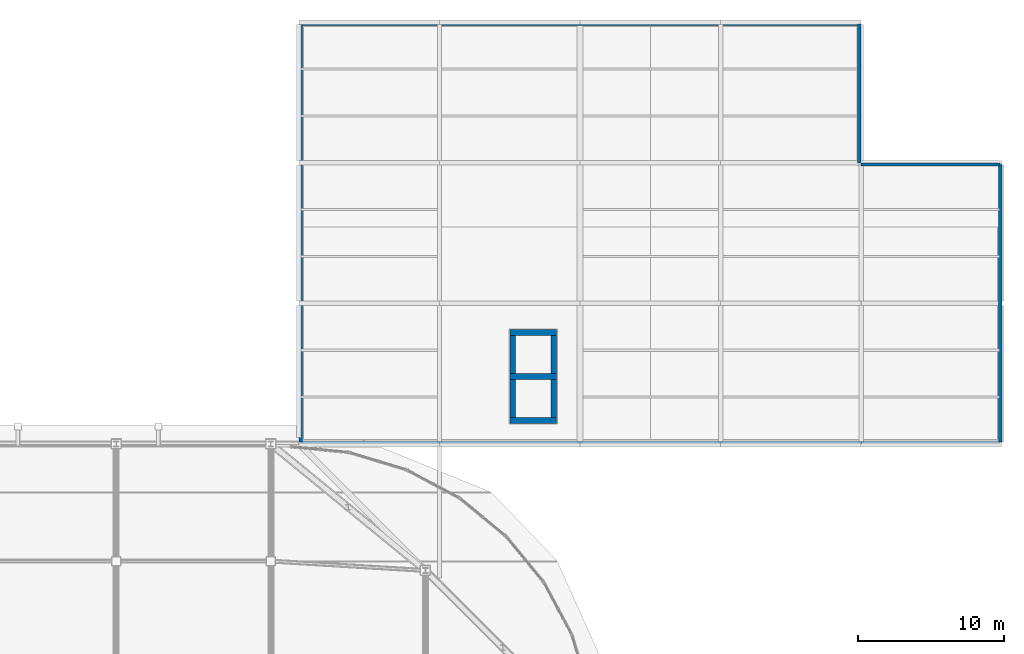
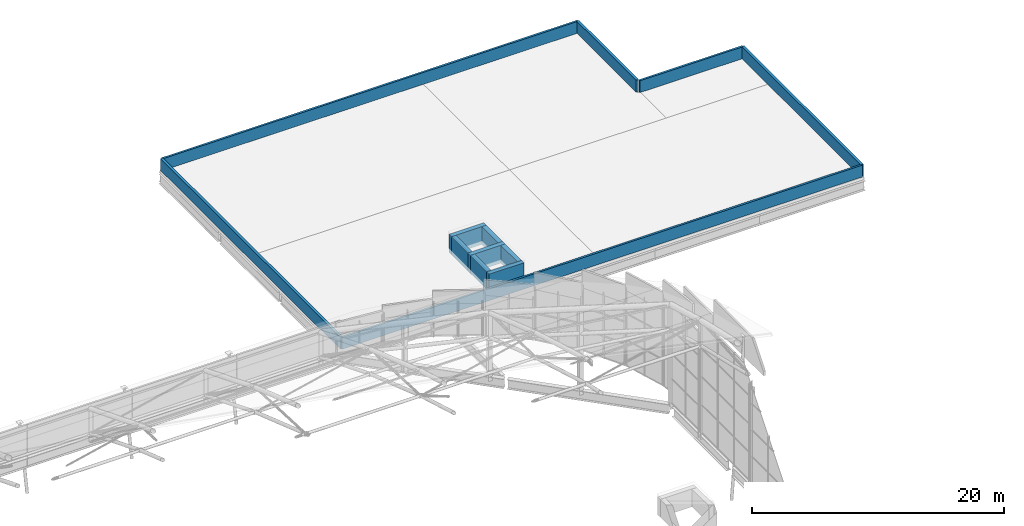
# One storey, part 41 of 42: 13 walls.
"""IFC4 building model written with IfcOpenShell, lengths in metres."""

from ifc_helpers import new_model, si_unit, direction, frame, frame_2d, origin, place, context, subcontext, project, spatial, rectangle, extrude, material, layer, layer_set, type_object, element, save


model = new_model("IFC4")

# Units and contexts
model_context = context("Model", 3, precision=1e-05, world=origin(), true_north=direction((0.0, 1.0)))
body_context = subcontext(model_context, "Body", "Model", "MODEL_VIEW")
ifc_project = project(units=[si_unit("LENGTHUNIT", "METRE"), si_unit("AREAUNIT", "SQUARE_METRE"), si_unit("VOLUMEUNIT", "CUBIC_METRE"), si_unit("PLANEANGLEUNIT", "RADIAN"), si_unit("MASSUNIT", "GRAM", prefix="KILO")], contexts=[model_context])

# Site, building, storey
site_placement = place(None, origin())
site = spatial("IfcSite", under=ifc_project, at=site_placement, CompositionType="ELEMENT")
building_placement = place(site_placement, origin())
building = spatial("IfcBuilding", under=site, at=building_placement, Name="Caelomonte Colonnade Arena", CompositionType="ELEMENT")
storey_placement = place(building_placement, frame((0.0, 0.0, 28.199951171875)))
storey = spatial("IfcBuildingStorey", under=building, at=storey_placement, Name="RF", CompositionType="ELEMENT", Elevation=28.199951171875)

# Walls
ifc_material_1 = material(Name="Precast concrete C40/50", Category="concrete")
ifc_layer_1 = layer(ifc_material_1, 0.18994140625)
ifc_layer_set_1 = layer_set([ifc_layer_1], Name="Precast concrete C40/50")
wall_type_1 = type_object("IfcWallType", Name="ENV-WL-PAR19", PredefinedType="PARAPET", material=ifc_layer_set_1)
wall_1_placement = place(storey_placement, frame((144.1201171875, 143.8798828125, 0.0), z_axis=(0.0, 0.0, 1.0), x_axis=(1.0, 0.0, 0.0)))
element("IfcWall", 1, at=wall_1_placement, inside=storey, type_object=wall_type_1, Name="Volume 4 roof parapet 2", PredefinedType="PARAPET", context=body_context, shape_type="SweptSolid", body=[
    extrude(rectangle(XDim=38.159912109375, YDim=0.18994140625, at=frame_2d((19.080078125, 0.0))), origin(), (0.0, 0.0, 1.0), 1.150146484375),
])
wall_2_placement = place(storey_placement, frame((182.39990234375, 134.280029296875, 0.0), z_axis=(0.0, 0.0, 1.0), x_axis=(1.0, 0.0, 0.0)))
element("IfcWall", 2, at=wall_2_placement, inside=storey, type_object=wall_type_1, Name="Volume 4 roof parapet 20", PredefinedType="PARAPET", context=body_context, shape_type="SweptSolid", body=[
    extrude(rectangle(XDim=9.47998046875, YDim=0.18994140625, at=frame_2d((4.739990234375, 0.0))), origin(), (0.0, 0.0, 1.0), 1.150146484375),
])
wall_3_placement = place(storey_placement, frame((191.8798828125, 115.320068359375, 0.0), z_axis=(0.0, 0.0, 1.0), x_axis=(-1.0, 0.0, 0.0)))
element("IfcWall", 3, at=wall_3_placement, inside=storey, type_object=wall_type_1, Name="Volume 4 roof parapet 22", PredefinedType="PARAPET", context=body_context, shape_type="SweptSolid", body=[
    extrude(rectangle(XDim=47.759765625, YDim=0.18994140625, at=frame_2d((23.8798828125, 0.0))), origin(), (0.0, 0.0, 1.0), 1.150146484375),
])
ifc_layer_2 = layer(ifc_material_1, 0.239990234375)
ifc_layer_set_2 = layer_set([ifc_layer_2], Name="Precast concrete C40/50")
wall_type_2 = type_object("IfcWallType", Name="ENV-WL-PAR24", PredefinedType="PARAPET", material=ifc_layer_set_2)
wall_4_placement = place(storey_placement, frame((144.1201171875, 115.320068359375, 0.0), z_axis=(0.0, 0.0, 1.0), x_axis=(0.0, 1.0, 0.0)))
element("IfcWall", 4, at=wall_4_placement, inside=storey, type_object=wall_type_2, Name="Volume 4 roof parapet 1", PredefinedType="PARAPET", context=body_context, shape_type="SweptSolid", body=[
    extrude(rectangle(XDim=28.559814453125, YDim=0.239990234375, at=frame_2d((14.27978515625, 0.0))), origin(), (0.0, 0.0, 1.0), 1.150146484375),
])
wall_5_placement = place(storey_placement, frame((182.280029296875, 143.8798828125, 0.0), z_axis=(0.0, 0.0, 1.0), x_axis=(0.0, -1.0, 0.0)))
element("IfcWall", 5, at=wall_5_placement, inside=storey, type_object=wall_type_2, Name="Volume 4 roof parapet 3", PredefinedType="PARAPET", context=body_context, shape_type="SweptSolid", body=[
    extrude(rectangle(XDim=9.47998046875, YDim=0.239990234375, at=frame_2d((4.739990234375, 0.0))), origin(), (0.0, 0.0, 1.0), 1.150146484375),
])
wall_6_placement = place(storey_placement, frame((191.8798828125, 134.280029296875, 0.0), z_axis=(0.0, 0.0, 1.0), x_axis=(0.0, -1.0, 0.0)))
element("IfcWall", 6, at=wall_6_placement, inside=storey, type_object=wall_type_2, Name="Volume 4 roof parapet 21", PredefinedType="PARAPET", context=body_context, shape_type="SweptSolid", body=[
    extrude(rectangle(XDim=18.9599609375, YDim=0.239990234375, at=frame_2d((9.47998046875, 0.0))), origin(), (0.0, 0.0, 1.0), 1.150146484375),
])
ifc_material_2 = material(Name="Concrete C50/60", Category="concrete")
ifc_layer_3 = layer(ifc_material_2, 0.39990234375)
ifc_layer_set_3 = layer_set([ifc_layer_3], Name="Concrete C50/60")
wall_type_3 = type_object("IfcWallType", Name="INT-WL-SH40", PredefinedType="SHEAR", material=ifc_layer_set_3)
for number, where, z_axis, x_axis, name in (
    (7, (158.39990234375, 116.800048828125, -0.280029296875), (0.0, 0.0, 1.0), (1.0, 0.0, 0.0), "CW-C6-OVR RF south enclosure wall"),
    (8, (161.60009765625, 119.800048828125, -0.280029296875), (0.0, 0.0, 1.0), (-1.0, 0.0, 0.0), "CW-C6-OVR RF north enclosure wall"),
):
    element("IfcWall", number, at=place(storey_placement, frame(where, z_axis=z_axis, x_axis=x_axis)), inside=storey, type_object=wall_type_3, Name=name, PredefinedType="SHEAR", context=body_context, shape_type="SweptSolid", body=[
        extrude(rectangle(XDim=3.2001953125, YDim=0.39990234375, at=frame_2d((1.60009765625, 0.0))), origin(), (0.0, 0.0, 1.0), 1.72998046875),
    ])
for number, where, z_axis, x_axis, name in (
    (9, (158.60009765625, 119.60009765625, -0.280029296875), (0.0, 0.0, 1.0), (0.0, -1.0, 0.0), "CW-C6-OVR RF west enclosure wall"),
    (10, (161.39990234375, 117.0, -0.280029296875), (0.0, 0.0, 1.0), (0.0, 1.0, 0.0), "CW-C6-OVR RF east enclosure wall"),
):
    element("IfcWall", number, at=place(storey_placement, frame(where, z_axis=z_axis, x_axis=x_axis)), inside=storey, type_object=wall_type_3, Name=name, PredefinedType="SHEAR", context=body_context, shape_type="SweptSolid", body=[
        extrude(rectangle(XDim=2.60009765625, YDim=0.39990234375, at=frame_2d((1.300048828125, 0.0))), origin(), (0.0, 0.0, 1.0), 1.72998046875),
    ])
wall_7_placement = place(storey_placement, frame((161.60009765625, 122.800048828125, -0.280029296875), z_axis=(0.0, 0.0, 1.0), x_axis=(-1.0, 0.0, 0.0)))
element("IfcWall", 11, at=wall_7_placement, inside=storey, type_object=wall_type_3, Name="CW-C6-OVR2 RF north enclosure wall", PredefinedType="SHEAR", context=body_context, shape_type="SweptSolid", body=[
    extrude(rectangle(XDim=3.2001953125, YDim=0.39990234375, at=frame_2d((1.60009765625, 0.0))), origin(), (0.0, 0.0, 1.0), 1.72998046875),
])
for number, where, z_axis, x_axis, name in (
    (12, (158.60009765625, 122.60009765625, -0.280029296875), (0.0, 0.0, 1.0), (0.0, -1.0, 0.0), "CW-C6-OVR2 RF west enclosure wall"),
    (13, (161.39990234375, 120.0, -0.280029296875), (0.0, 0.0, 1.0), (0.0, 1.0, 0.0), "CW-C6-OVR2 RF east enclosure wall"),
):
    element("IfcWall", number, at=place(storey_placement, frame(where, z_axis=z_axis, x_axis=x_axis)), inside=storey, type_object=wall_type_3, Name=name, PredefinedType="SHEAR", context=body_context, shape_type="SweptSolid", body=[
        extrude(rectangle(XDim=2.60009765625, YDim=0.39990234375, at=frame_2d((1.300048828125, 0.0))), origin(), (0.0, 0.0, 1.0), 1.72998046875),
    ])

save(model, "model.ifc")
